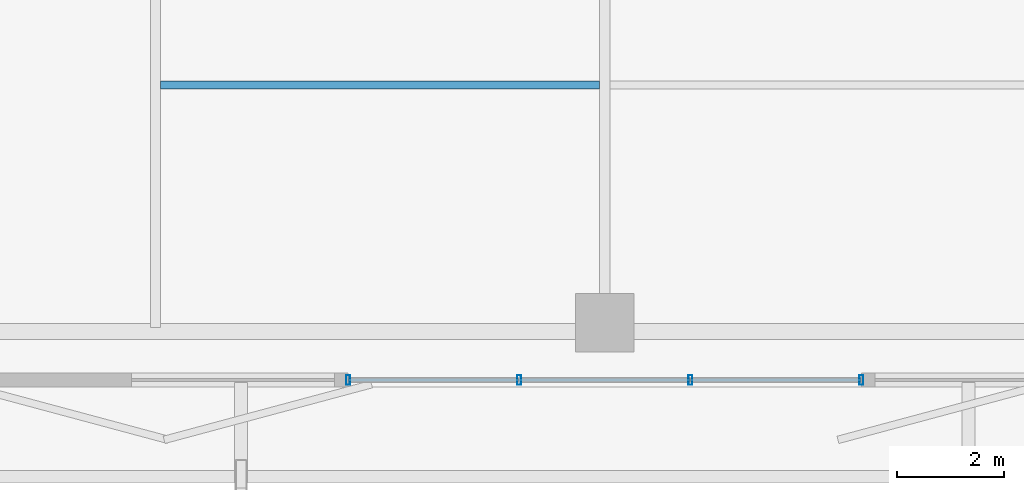
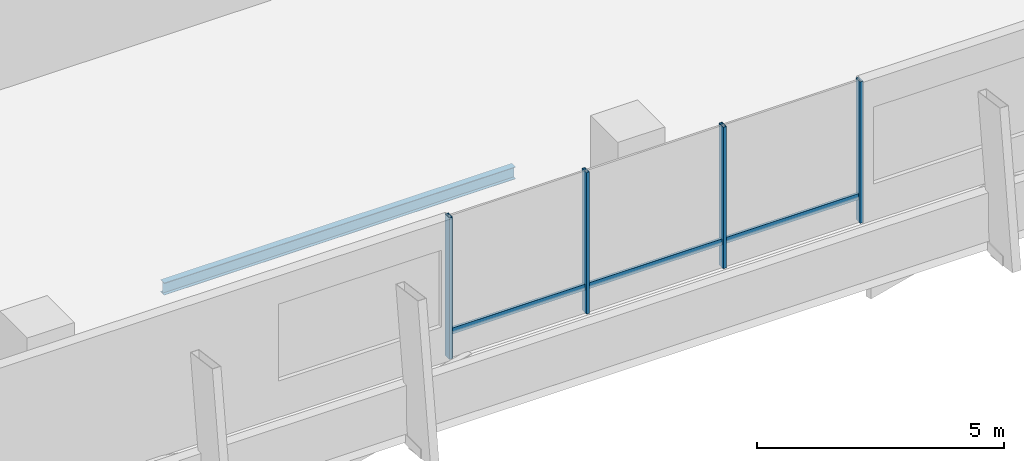
# One storey, part 2 of 16: 7 members, 1 beam, 1 element without a shape of its own.
"""IFC4 building model written with IfcOpenShell, lengths in metres."""

from ifc_helpers import new_model, si_unit, direction, frame, origin, origin_2d, place, context, subcontext, project, spatial, hollow_rectangle, i_section, extrude, material, layer, layer_set, material_profile, profile_set, type_object, element, aggregate, save


model = new_model("IFC4")

# Units and contexts
model_context = context("Model", 3, precision=1e-05, world=origin(), true_north=direction((0.0, 1.0)))
body_context = subcontext(model_context, "Body", "Model", "MODEL_VIEW")
ifc_project = project(units=[si_unit("LENGTHUNIT", "METRE"), si_unit("AREAUNIT", "SQUARE_METRE"), si_unit("VOLUMEUNIT", "CUBIC_METRE"), si_unit("PLANEANGLEUNIT", "RADIAN"), si_unit("MASSUNIT", "GRAM", prefix="KILO")], contexts=[model_context])

# Site, building, storey
site_placement = place(None, origin())
site = spatial("IfcSite", under=ifc_project, at=site_placement, CompositionType="ELEMENT")
building_placement = place(site_placement, origin())
building = spatial("IfcBuilding", under=site, at=building_placement, Name="Belovzor Exchange Tower", CompositionType="ELEMENT")
storey_placement = place(building_placement, frame((0.0, 0.0, 138.300048828125)))
storey = spatial("IfcBuildingStorey", under=building, at=storey_placement, Name="L33", CompositionType="ELEMENT", Elevation=138.300048828125)

# Beam
ifc_material_1 = material(Name="Steel S355", Category="steel")
ifc_material_profile_1 = material_profile(ifc_material_1, i_section(OverallWidth=0.14990234375, OverallDepth=0.300048828125, WebThickness=0.007080078125, FlangeThickness=0.0107421875, at=origin_2d()))
ifc_profile_set_1 = profile_set([ifc_material_profile_1], Name="Steel S355")
beam_type = type_object("IfcBeamType", Name="Secondary Trim Floor Joist IPE 300", PredefinedType="BEAM", material=ifc_profile_set_1)
beam_placement = place(storey_placement, frame((20.4951171875, 10.14892578125, -0.405029296875), z_axis=(1.0, 0.0, 0.0), x_axis=(0.0, 1.0, 0.0)))
element("IfcBeam", 1, at=beam_placement, inside=storey, type_object=beam_type, Name="FJ-300 Secondary Trim Floor Joist IPE 300", PredefinedType="BEAM", context=body_context, shape_type="SweptSolid", body=[
    extrude(i_section(OverallWidth=0.14990234375, OverallDepth=0.300048828125, WebThickness=0.007080078125, FlangeThickness=0.0107421875, at=origin_2d()), origin(), (0.0, 0.0, 1.0), 8.2099609375),
])

# Curtain wall, members
ifc_material_2 = material(Name="Anodised Aluminium Framing", Category="aluminium")
ifc_layer = layer(ifc_material_2, 0.179931640625)
ifc_layer_set = layer_set([ifc_layer], Name="Anodised Aluminium Framing")
curtain_wall_type = type_object("IfcCurtainWallType", Name="Recessed Loggia Low-Iron Triple-Glazed Curtain Wall", PredefinedType="NOTDEFINED", material=ifc_layer_set)
curtain_wall_placement = place(storey_placement, origin())
curtain_wall = element("IfcCurtainWall", 2, at=curtain_wall_placement, inside=storey, type_object=curtain_wall_type, Name="CW3 Recessed Loggia Low-Iron Triple-Glazed Curtain Wall L33", PredefinedType="NOTDEFINED")
ifc_material_3 = material(Name="Steel S355", Category="steel")
ifc_material_profile_2 = material_profile(ifc_material_3, hollow_rectangle(XDim=0.074951171875, YDim=0.179931640625, WallThickness=0.0048828125, at=origin_2d()))
ifc_profile_set_2 = profile_set([ifc_material_profile_2], Name="Steel S355")
member_type_1 = type_object("IfcMemberType", Name="Thermally Broken Curtain Wall Mullion 180x75", PredefinedType="MULLION", material=ifc_profile_set_2)
member_1_placement = place(storey_placement, frame((33.60009765625, 4.6298828125, 0.0), z_axis=(0.0, 0.0, 1.0), x_axis=(-1.0, 0.0, 0.0)))
member_1 = element("IfcMember", 3, at=member_1_placement, type_object=member_type_1, Name="CW-M180 Curtain Wall Mullion 1", PredefinedType="MULLION", context=body_context, shape_type="SweptSolid", body=[
    extrude(hollow_rectangle(XDim=0.074951171875, YDim=0.179931640625, WallThickness=0.0048828125, at=origin_2d()), origin(), (0.0, 0.0, 1.0), 3.494873046875),
])
member_2_placement = place(storey_placement, frame((30.39990234375, 4.6298828125, 0.0), z_axis=(0.0, 0.0, 1.0), x_axis=(-1.0, 0.0, 0.0)))
member_2 = element("IfcMember", 4, at=member_2_placement, type_object=member_type_1, Name="CW-M180 Curtain Wall Mullion 2", PredefinedType="MULLION", context=body_context, shape_type="SweptSolid", body=[
    extrude(hollow_rectangle(XDim=0.074951171875, YDim=0.179931640625, WallThickness=0.0048828125, at=origin_2d()), origin(), (0.0, 0.0, 1.0), 3.494873046875),
])
member_3_placement = place(storey_placement, frame((27.199951171875, 4.6298828125, 0.0), z_axis=(0.0, 0.0, 1.0), x_axis=(-1.0, 0.0, 0.0)))
member_3 = element("IfcMember", 5, at=member_3_placement, type_object=member_type_1, Name="CW-M180 Curtain Wall Mullion 3", PredefinedType="MULLION", context=body_context, shape_type="SweptSolid", body=[
    extrude(hollow_rectangle(XDim=0.074951171875, YDim=0.179931640625, WallThickness=0.0048828125, at=origin_2d()), origin(), (0.0, 0.0, 1.0), 3.494873046875),
])
member_4_placement = place(storey_placement, frame((24.0, 4.6298828125, 0.0), z_axis=(0.0, 0.0, 1.0), x_axis=(-1.0, 0.0, 0.0)))
member_4 = element("IfcMember", 6, at=member_4_placement, type_object=member_type_1, Name="CW-M180 Curtain Wall Mullion 4", PredefinedType="MULLION", context=body_context, shape_type="SweptSolid", body=[
    extrude(hollow_rectangle(XDim=0.074951171875, YDim=0.179931640625, WallThickness=0.0048828125, at=origin_2d()), origin(), (0.0, 0.0, 1.0), 3.494873046875),
])
ifc_material_4 = material(Name="Steel S355", Category="steel")
ifc_material_profile_3 = material_profile(ifc_material_4, hollow_rectangle(XDim=0.06005859375, YDim=0.14990234375, WallThickness=0.00390625, at=origin_2d()))
ifc_profile_set_3 = profile_set([ifc_material_profile_3], Name="Steel S355")
member_type_2 = type_object("IfcMemberType", Name="Thermally Broken Curtain Wall Transom 150x60", PredefinedType="USERDEFINED", material=ifc_profile_set_3)
member_5_placement = place(storey_placement, frame((33.592041015625, 4.6298828125, 0.62890625), z_axis=(-1.0, 0.0, 0.0), x_axis=(0.0, -1.0, 0.0)))
member_5 = element("IfcMember", 7, at=member_5_placement, type_object=member_type_2, Name="CW-T150 Curtain Wall Transom 1", ObjectType="TRANSOM", PredefinedType="USERDEFINED", context=body_context, shape_type="SweptSolid", body=[
    extrude(hollow_rectangle(XDim=0.06005859375, YDim=0.14990234375, WallThickness=0.00390625, at=origin_2d()), origin(), (0.0, 0.0, 1.0), 3.18408203125),
])
member_6_placement = place(storey_placement, frame((30.39208984375, 4.6298828125, 0.62890625), z_axis=(-1.0, 0.0, 0.0), x_axis=(0.0, -1.0, 0.0)))
member_6 = element("IfcMember", 8, at=member_6_placement, type_object=member_type_2, Name="CW-T150 Curtain Wall Transom 2", ObjectType="TRANSOM", PredefinedType="USERDEFINED", context=body_context, shape_type="SweptSolid", body=[
    extrude(hollow_rectangle(XDim=0.06005859375, YDim=0.14990234375, WallThickness=0.00390625, at=origin_2d()), origin(), (0.0, 0.0, 1.0), 3.18408203125),
])
member_7_placement = place(storey_placement, frame((27.19189453125, 4.6298828125, 0.62890625), z_axis=(-1.0, 0.0, 0.0), x_axis=(0.0, -1.0, 0.0)))
member_7 = element("IfcMember", 9, at=member_7_placement, type_object=member_type_2, Name="CW-T150 Curtain Wall Transom 3", ObjectType="TRANSOM", PredefinedType="USERDEFINED", context=body_context, shape_type="SweptSolid", body=[
    extrude(hollow_rectangle(XDim=0.06005859375, YDim=0.14990234375, WallThickness=0.00390625, at=origin_2d()), origin(), (0.0, 0.0, 1.0), 3.183837890625),
])
aggregate(curtain_wall, [member_1, member_2, member_3, member_4, member_5, member_6, member_7])

save(model, "model.ifc")
